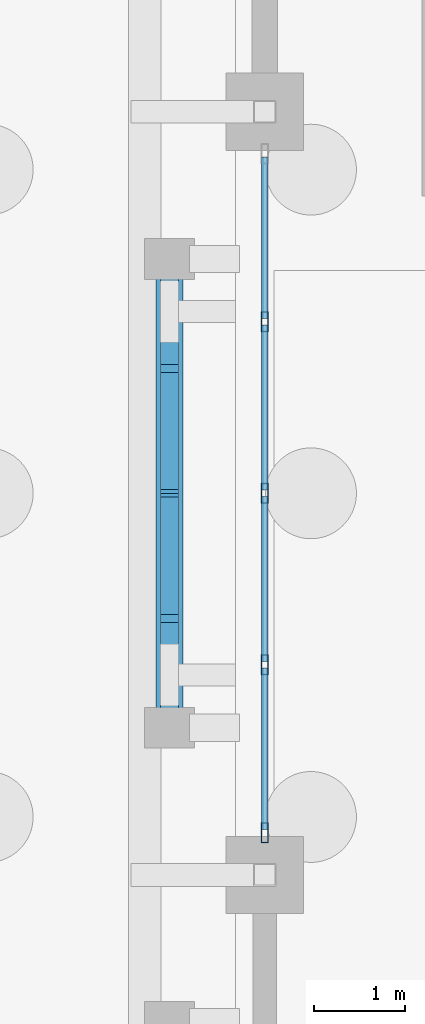
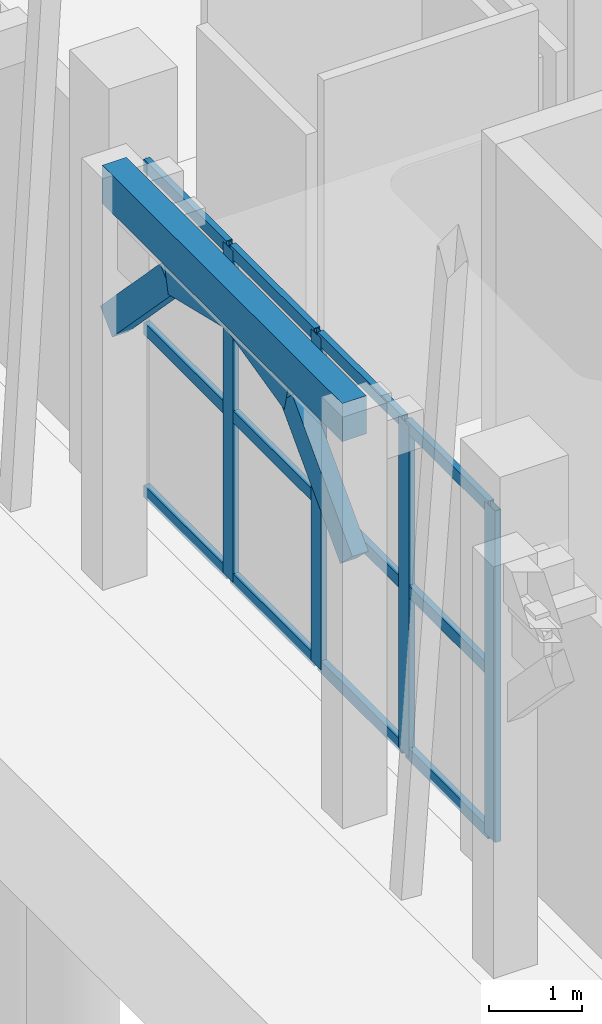
# One storey, part 27 of 98: 20 members, 1 beam, 1 element without a shape of its own.
"""IFC4 building model written with IfcOpenShell, lengths in metres."""

from ifc_helpers import new_model, si_unit, direction, frame, origin, origin_2d, place, context, subcontext, project, spatial, rectangle, hollow_rectangle, extrude, material, layer, layer_set, material_profile, profile_set, type_object, element, aggregate, save


model = new_model("IFC4")

# Units and contexts
model_context = context("Model", 3, precision=1e-05, world=origin(), true_north=direction((0.0, 1.0)))
body_context = subcontext(model_context, "Body", "Model", "MODEL_VIEW")
ifc_project = project(units=[si_unit("LENGTHUNIT", "METRE"), si_unit("AREAUNIT", "SQUARE_METRE"), si_unit("VOLUMEUNIT", "CUBIC_METRE"), si_unit("PLANEANGLEUNIT", "RADIAN"), si_unit("MASSUNIT", "GRAM", prefix="KILO")], contexts=[model_context])

# Site, building, storey
site_placement = place(None, origin())
site = spatial("IfcSite", under=ifc_project, at=site_placement, CompositionType="ELEMENT")
building_placement = place(site_placement, origin())
building = spatial("IfcBuilding", under=site, at=building_placement, Name="Xazarin Passage Department Store", CompositionType="ELEMENT")
storey_placement = place(building_placement, origin())
storey = spatial("IfcBuildingStorey", under=building, at=storey_placement, Name="L00", CompositionType="ELEMENT", Elevation=0.0)

# Curtain wall, members
ifc_material_1 = material(Name="Bronze anodised aluminium", Category="aluminium")
ifc_layer = layer(ifc_material_1, 0.179931640625)
ifc_layer_set = layer_set([ifc_layer], Name="Bronze anodised aluminium")
curtain_wall_type = type_object("IfcCurtainWallType", Name="ARC-CW-VIT1", PredefinedType="NOTDEFINED", material=ifc_layer_set)
curtain_wall_placement = place(storey_placement, origin())
curtain_wall = element("IfcCurtainWall", 1, at=curtain_wall_placement, inside=storey, type_object=curtain_wall_type, Name="L00 V1 Curtain Wall 005", PredefinedType="NOTDEFINED")
ifc_material_profile_1 = material_profile(ifc_material_1, hollow_rectangle(XDim=0.074951171875, YDim=0.219970703125, WallThickness=0.0048828125, at=origin_2d()), Name="ALU 75x220")
ifc_profile_set_1 = profile_set([ifc_material_profile_1], Name="Bronze anodised aluminium")
member_type_1 = type_object("IfcMemberType", Name="ARC-CWM-75x220", PredefinedType="MULLION", material=ifc_profile_set_1)
member_1_placement = place(storey_placement, frame((0.0, 76.862548828125, 0.0), z_axis=(0.0, 0.0, 1.0), x_axis=(-1.0, 0.0, 0.0)))
member_1 = element("IfcMember", 2, at=member_1_placement, type_object=member_type_1, Name="CW1 mullion 1", PredefinedType="MULLION", context=body_context, shape_type="SweptSolid", body=[
    extrude(hollow_rectangle(XDim=0.074951171875, YDim=0.219970703125, WallThickness=0.0048828125, at=origin_2d()), origin(), (0.0, 0.0, 1.0), 4.35009765625),
])
member_2_placement = place(storey_placement, frame((0.0, 78.71240234375, 0.0), z_axis=(0.0, 0.0, 1.0), x_axis=(-1.0, 0.0, 0.0)))
member_2 = element("IfcMember", 3, at=member_2_placement, type_object=member_type_1, Name="CW1 mullion 2", PredefinedType="MULLION", context=body_context, shape_type="SweptSolid", body=[
    extrude(hollow_rectangle(XDim=0.074951171875, YDim=0.219970703125, WallThickness=0.0048828125, at=origin_2d()), origin(), (0.0, 0.0, 1.0), 4.35009765625),
])
member_3_placement = place(storey_placement, frame((0.0, 80.60009765625, 0.0), z_axis=(0.0, 0.0, 1.0), x_axis=(-1.0, 0.0, 0.0)))
member_3 = element("IfcMember", 4, at=member_3_placement, type_object=member_type_1, Name="CW1 mullion 3", PredefinedType="MULLION", context=body_context, shape_type="SweptSolid", body=[
    extrude(hollow_rectangle(XDim=0.074951171875, YDim=0.219970703125, WallThickness=0.0048828125, at=origin_2d()), origin(), (0.0, 0.0, 1.0), 4.35009765625),
])
member_4_placement = place(storey_placement, frame((0.0, 82.487548828125, 0.0), z_axis=(0.0, 0.0, 1.0), x_axis=(-1.0, 0.0, 0.0)))
member_4 = element("IfcMember", 5, at=member_4_placement, type_object=member_type_1, Name="CW1 mullion 4", PredefinedType="MULLION", context=body_context, shape_type="SweptSolid", body=[
    extrude(hollow_rectangle(XDim=0.074951171875, YDim=0.219970703125, WallThickness=0.0048828125, at=origin_2d()), origin(), (0.0, 0.0, 1.0), 4.35009765625),
])
ifc_material_profile_2 = material_profile(ifc_material_1, hollow_rectangle(XDim=0.074951171875, YDim=0.159912109375, WallThickness=0.00439453125, at=origin_2d()), Name="ALU 75x160")
ifc_profile_set_2 = profile_set([ifc_material_profile_2], Name="Bronze anodised aluminium")
member_type_2 = type_object("IfcMemberType", Name="ARC-CWT-75x160", PredefinedType="USERDEFINED", material=ifc_profile_set_2)
member_5_placement = place(storey_placement, frame((0.0, 76.89990234375, 0.03759765625), z_axis=(0.0, 1.0, 0.0), x_axis=(-1.0, 0.0, 0.0)))
member_5 = element("IfcMember", 6, at=member_5_placement, type_object=member_type_2, Name="CW1 transom 1.1", ObjectType="TRANSOM", PredefinedType="USERDEFINED", context=body_context, shape_type="SweptSolid", body=[
    extrude(hollow_rectangle(XDim=0.074951171875, YDim=0.159912109375, WallThickness=0.00439453125, at=origin_2d()), origin(), (0.0, 0.0, 1.0), 1.775146484375),
])
member_6_placement = place(storey_placement, frame((0.0, 76.89990234375, 2.175048828125), z_axis=(0.0, 1.0, 0.0), x_axis=(-1.0, 0.0, 0.0)))
member_6 = element("IfcMember", 7, at=member_6_placement, type_object=member_type_2, Name="CW1 transom 1.2", ObjectType="TRANSOM", PredefinedType="USERDEFINED", context=body_context, shape_type="SweptSolid", body=[
    extrude(hollow_rectangle(XDim=0.074951171875, YDim=0.159912109375, WallThickness=0.00439453125, at=origin_2d()), origin(), (0.0, 0.0, 1.0), 1.775146484375),
])
member_7_placement = place(storey_placement, frame((0.0, 76.89990234375, 4.3125), z_axis=(0.0, 1.0, 0.0), x_axis=(-1.0, 0.0, 0.0)))
member_7 = element("IfcMember", 8, at=member_7_placement, type_object=member_type_2, Name="CW1 transom 1.3", ObjectType="TRANSOM", PredefinedType="USERDEFINED", context=body_context, shape_type="SweptSolid", body=[
    extrude(hollow_rectangle(XDim=0.074951171875, YDim=0.159912109375, WallThickness=0.00439453125, at=origin_2d()), origin(), (0.0, 0.0, 1.0), 1.775146484375),
])
member_8_placement = place(storey_placement, frame((0.0, 78.75, 0.03759765625), z_axis=(0.0, 1.0, 0.0), x_axis=(-1.0, 0.0, 0.0)))
member_8 = element("IfcMember", 9, at=member_8_placement, type_object=member_type_2, Name="CW1 transom 2.1", ObjectType="TRANSOM", PredefinedType="USERDEFINED", context=body_context, shape_type="SweptSolid", body=[
    extrude(hollow_rectangle(XDim=0.074951171875, YDim=0.159912109375, WallThickness=0.00439453125, at=origin_2d()), origin(), (0.0, 0.0, 1.0), 1.8125),
])
member_9_placement = place(storey_placement, frame((0.0, 78.75, 2.175048828125), z_axis=(0.0, 1.0, 0.0), x_axis=(-1.0, 0.0, 0.0)))
member_9 = element("IfcMember", 10, at=member_9_placement, type_object=member_type_2, Name="CW1 transom 2.2", ObjectType="TRANSOM", PredefinedType="USERDEFINED", context=body_context, shape_type="SweptSolid", body=[
    extrude(hollow_rectangle(XDim=0.074951171875, YDim=0.159912109375, WallThickness=0.00439453125, at=origin_2d()), origin(), (0.0, 0.0, 1.0), 1.8125),
])
member_10_placement = place(storey_placement, frame((0.0, 78.75, 4.3125), z_axis=(0.0, 1.0, 0.0), x_axis=(-1.0, 0.0, 0.0)))
member_10 = element("IfcMember", 11, at=member_10_placement, type_object=member_type_2, Name="CW1 transom 2.3", ObjectType="TRANSOM", PredefinedType="USERDEFINED", context=body_context, shape_type="SweptSolid", body=[
    extrude(hollow_rectangle(XDim=0.074951171875, YDim=0.159912109375, WallThickness=0.00439453125, at=origin_2d()), origin(), (0.0, 0.0, 1.0), 1.8125),
])
member_11_placement = place(storey_placement, frame((0.0, 80.637451171875, 0.03759765625), z_axis=(0.0, 1.0, 0.0), x_axis=(-1.0, 0.0, 0.0)))
member_11 = element("IfcMember", 12, at=member_11_placement, type_object=member_type_2, Name="CW1 transom 3.1", ObjectType="TRANSOM", PredefinedType="USERDEFINED", context=body_context, shape_type="SweptSolid", body=[
    extrude(hollow_rectangle(XDim=0.074951171875, YDim=0.159912109375, WallThickness=0.00439453125, at=origin_2d()), origin(), (0.0, 0.0, 1.0), 1.8125),
])
member_12_placement = place(storey_placement, frame((0.0, 80.637451171875, 2.175048828125), z_axis=(0.0, 1.0, 0.0), x_axis=(-1.0, 0.0, 0.0)))
member_12 = element("IfcMember", 13, at=member_12_placement, type_object=member_type_2, Name="CW1 transom 3.2", ObjectType="TRANSOM", PredefinedType="USERDEFINED", context=body_context, shape_type="SweptSolid", body=[
    extrude(hollow_rectangle(XDim=0.074951171875, YDim=0.159912109375, WallThickness=0.00439453125, at=origin_2d()), origin(), (0.0, 0.0, 1.0), 1.8125),
])
member_13_placement = place(storey_placement, frame((0.0, 80.637451171875, 4.3125), z_axis=(0.0, 1.0, 0.0), x_axis=(-1.0, 0.0, 0.0)))
member_13 = element("IfcMember", 14, at=member_13_placement, type_object=member_type_2, Name="CW1 transom 3.3", ObjectType="TRANSOM", PredefinedType="USERDEFINED", context=body_context, shape_type="SweptSolid", body=[
    extrude(hollow_rectangle(XDim=0.074951171875, YDim=0.159912109375, WallThickness=0.00439453125, at=origin_2d()), origin(), (0.0, 0.0, 1.0), 1.8125),
])
member_14_placement = place(storey_placement, frame((0.0, 82.52490234375, 0.03759765625), z_axis=(0.0, 1.0, 0.0), x_axis=(-1.0, 0.0, 0.0)))
member_14 = element("IfcMember", 15, at=member_14_placement, type_object=member_type_2, Name="CW1 transom 4.1", ObjectType="TRANSOM", PredefinedType="USERDEFINED", context=body_context, shape_type="SweptSolid", body=[
    extrude(hollow_rectangle(XDim=0.074951171875, YDim=0.159912109375, WallThickness=0.00439453125, at=origin_2d()), origin(), (0.0, 0.0, 1.0), 1.775146484375),
])
member_15_placement = place(storey_placement, frame((0.0, 82.52490234375, 2.175048828125), z_axis=(0.0, 1.0, 0.0), x_axis=(-1.0, 0.0, 0.0)))
member_15 = element("IfcMember", 16, at=member_15_placement, type_object=member_type_2, Name="CW1 transom 4.2", ObjectType="TRANSOM", PredefinedType="USERDEFINED", context=body_context, shape_type="SweptSolid", body=[
    extrude(hollow_rectangle(XDim=0.074951171875, YDim=0.159912109375, WallThickness=0.00439453125, at=origin_2d()), origin(), (0.0, 0.0, 1.0), 1.775146484375),
])
member_16_placement = place(storey_placement, frame((0.0, 82.52490234375, 4.3125), z_axis=(0.0, 1.0, 0.0), x_axis=(-1.0, 0.0, 0.0)))
member_16 = element("IfcMember", 17, at=member_16_placement, type_object=member_type_2, Name="CW1 transom 4.3", ObjectType="TRANSOM", PredefinedType="USERDEFINED", context=body_context, shape_type="SweptSolid", body=[
    extrude(hollow_rectangle(XDim=0.074951171875, YDim=0.159912109375, WallThickness=0.00439453125, at=origin_2d()), origin(), (0.0, 0.0, 1.0), 1.775146484375),
])
aggregate(curtain_wall, [member_1, member_2, member_3, member_4, member_5, member_6, member_7, member_8, member_9, member_10, member_11, member_12, member_13, member_14, member_15, member_16])

# Beam
ifc_material_2 = material(Name="Concrete C35/45", Category="concrete")
ifc_material_profile_3 = material_profile(ifc_material_2, rectangle(XDim=0.300048828125, YDim=0.5, at=origin_2d()), Name="RC 300x500")
ifc_profile_set_3 = profile_set([ifc_material_profile_3], Name="Concrete C35/45")
beam_type = type_object("IfcBeamType", Name="STR-BM-LN300x500", PredefinedType="LINTEL", material=ifc_profile_set_3)
beam_placement = place(storey_placement, frame((-1.050048828125, 78.02001953125, 5.14990234375), z_axis=(0.0, 1.0, 0.0), x_axis=(-1.0, 0.0, 0.0)))
element("IfcBeam", 18, at=beam_placement, inside=storey, type_object=beam_type, Name="L00 V1 Colonnade Spandrel Beam 011", PredefinedType="LINTEL", context=body_context, shape_type="SweptSolid", body=[
    extrude(rectangle(XDim=0.300048828125, YDim=0.5, at=origin_2d()), origin(), (0.0, 0.0, 1.0), 5.159912109375),
])

# Members
ifc_material_3 = material(Name="Concrete C40/50", Category="concrete")
ifc_material_profile_4 = material_profile(ifc_material_3, rectangle(XDim=0.199951171875, YDim=0.360107421875, at=origin_2d()), Name="RC 200x360")
ifc_profile_set_4 = profile_set([ifc_material_profile_4], Name="Concrete C40/50")
member_type_3 = type_object("IfcMemberType", Name="STR-MEM-ARC360", PredefinedType="CHORD", material=ifc_profile_set_4)
member_17_placement = place(storey_placement, frame((-1.050048828125, 78.02001953125, 3.330078125), z_axis=(0.0, 0.693460080602, 0.720495049679), x_axis=(-1.0, 0.0, 0.0)))
element("IfcMember", 19, at=member_17_placement, inside=storey, type_object=member_type_3, Name="L00 V1 Pierced Lattice Curved Arch 011.1", PredefinedType="CHORD", context=body_context, shape_type="SweptSolid", body=[
    extrude(rectangle(XDim=0.199951171875, YDim=0.360107421875, at=origin_2d()), origin(), (0.0, 0.0, 1.0), 1.8603515625),
])
member_18_placement = place(storey_placement, frame((-1.050048828125, 79.31005859375, 4.67041015625), z_axis=(0.0, 0.972393983317, 0.233345111818), x_axis=(-1.0, 0.0, 0.0)))
element("IfcMember", 20, at=member_18_placement, inside=storey, type_object=member_type_3, Name="L00 V1 Pierced Lattice Curved Arch 011.2", PredefinedType="CHORD", context=body_context, shape_type="SweptSolid", body=[
    extrude(rectangle(XDim=0.199951171875, YDim=0.360107421875, at=origin_2d()), origin(), (0.0, 0.0, 1.0), 1.32666015625),
])
member_19_placement = place(storey_placement, frame((-1.050048828125, 80.60009765625, 4.97998046875), z_axis=(0.0, 0.972383960415, -0.233386875224), x_axis=(-1.0, 0.0, 0.0)))
element("IfcMember", 21, at=member_19_placement, inside=storey, type_object=member_type_3, Name="L00 V1 Pierced Lattice Curved Arch 011.3", PredefinedType="CHORD", context=body_context, shape_type="SweptSolid", body=[
    extrude(rectangle(XDim=0.199951171875, YDim=0.360107421875, at=origin_2d()), origin(), (0.0, 0.0, 1.0), 1.326416015625),
])
member_20_placement = place(storey_placement, frame((-1.050048828125, 81.889892578125, 4.67041015625), z_axis=(0.0, 0.693460080602, -0.720495049679), x_axis=(-1.0, 0.0, 0.0)))
element("IfcMember", 22, at=member_20_placement, inside=storey, type_object=member_type_3, Name="L00 V1 Pierced Lattice Curved Arch 011.4", PredefinedType="CHORD", context=body_context, shape_type="SweptSolid", body=[
    extrude(rectangle(XDim=0.199951171875, YDim=0.360107421875, at=origin_2d()), origin(), (0.0, 0.0, 1.0), 1.8603515625),
])

save(model, "model.ifc")
